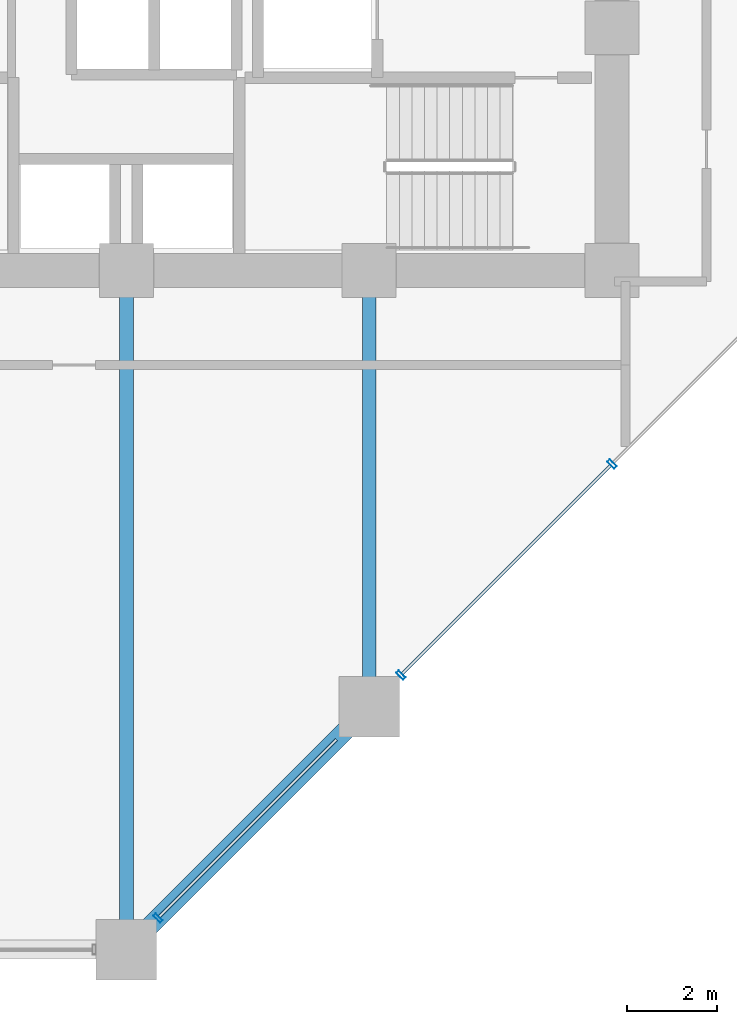
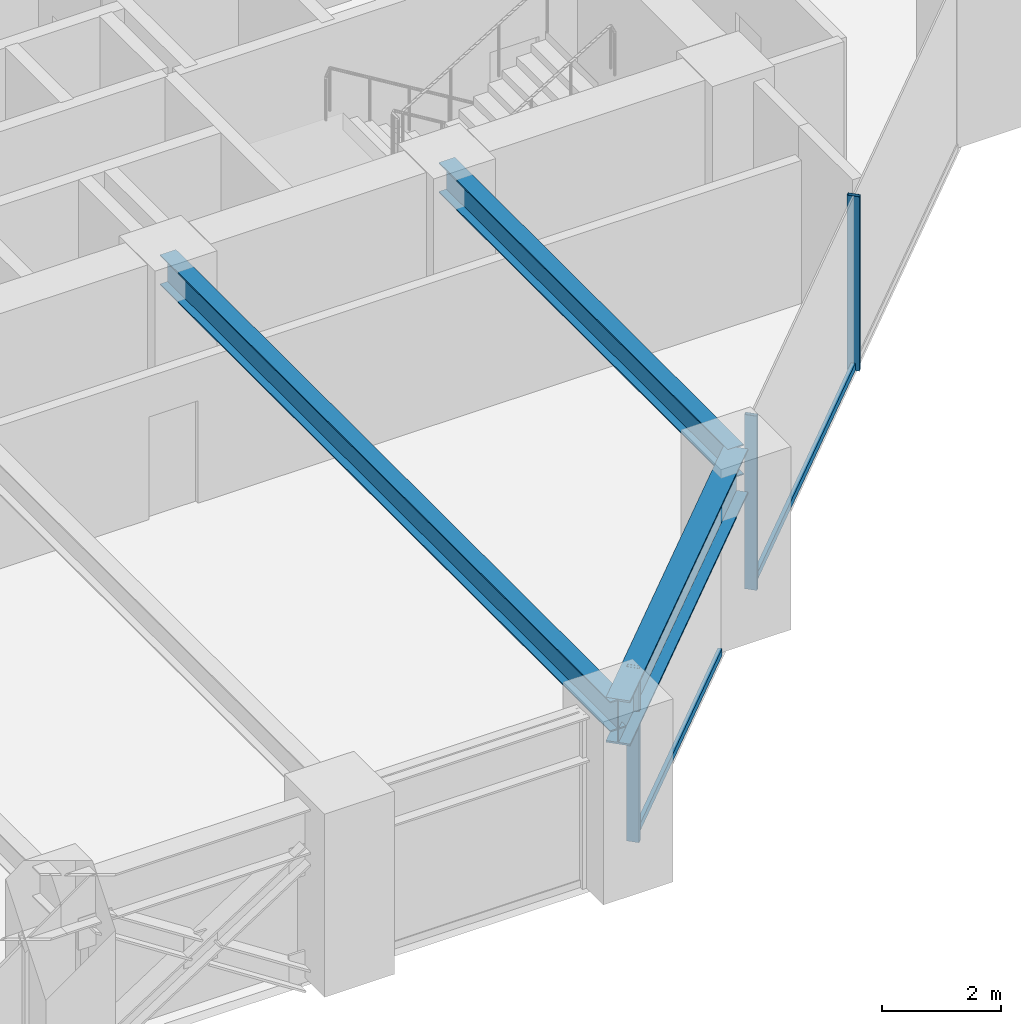
# One storey, part 7 of 25: 5 members, 3 beams, 1 element without a shape of its own.
"""IFC4 building model written with IfcOpenShell, lengths in metres."""

from ifc_helpers import new_model, si_unit, direction, frame, origin, origin_2d, place, context, subcontext, project, spatial, hollow_rectangle, i_section, extrude, material, layer, layer_set, material_profile, profile_set, type_object, element, aggregate, save


model = new_model("IFC4")

# Units and contexts
model_context = context("Model", 3, precision=1e-05, world=origin(), true_north=direction((0.0, 1.0)))
body_context = subcontext(model_context, "Body", "Model", "MODEL_VIEW")
ifc_project = project(units=[si_unit("LENGTHUNIT", "METRE"), si_unit("AREAUNIT", "SQUARE_METRE"), si_unit("VOLUMEUNIT", "CUBIC_METRE"), si_unit("PLANEANGLEUNIT", "RADIAN"), si_unit("MASSUNIT", "GRAM", prefix="KILO")], contexts=[model_context])

# Site, building, storey
site_placement = place(None, origin())
site = spatial("IfcSite", under=ifc_project, at=site_placement, CompositionType="ELEMENT")
building_placement = place(site_placement, origin())
building = spatial("IfcBuilding", under=site, at=building_placement, Name="Surkhivell Harbour Commons", CompositionType="ELEMENT")
storey_placement = place(building_placement, frame((0.0, 0.0, 41.25)))
storey = spatial("IfcBuildingStorey", under=building, at=storey_placement, Name="L10", CompositionType="ELEMENT", Elevation=41.25)

# Beams
ifc_material_1 = material(Name="Steel S355", Category="steel")
ifc_material_profile_1 = material_profile(ifc_material_1, i_section(OverallWidth=0.306884765625, OverallDepth=0.6201171875, WebThickness=0.01416015625, FlangeThickness=0.023681640625, at=origin_2d()), Name="UB610x305x179")
ifc_profile_set_1 = profile_set([ifc_material_profile_1], Name="Steel S355")
beam_type_1 = type_object("IfcBeamType", Name="BM-GRD-610A", PredefinedType="BEAM", material=ifc_profile_set_1)
beam_1_placement = place(storey_placement, frame((0.0, -25.89990234375, 3.260009765625), z_axis=(0.0, 1.0, 0.0), x_axis=(-1.0, 0.0, 0.0)))
element("IfcBeam", 1, at=beam_1_placement, inside=storey, type_object=beam_type_1, Name="L10 Floor Girder (0.0,-25.9)", PredefinedType="BEAM", context=body_context, shape_type="SweptSolid", body=[
    extrude(i_section(OverallWidth=0.306884765625, OverallDepth=0.6201171875, WebThickness=0.01416015625, FlangeThickness=0.023681640625, at=origin_2d()), origin(), (0.0, 0.0, 1.0), 15.099853515625),
])
beam_2_placement = place(storey_placement, frame((5.39990234375, -20.5, 3.260009765625), z_axis=(0.0, 1.0, 0.0), x_axis=(-1.0, 0.0, 0.0)))
element("IfcBeam", 2, at=beam_2_placement, inside=storey, type_object=beam_type_1, Name="L10 Floor Girder (5.4,-20.5)", PredefinedType="BEAM", context=body_context, shape_type="SweptSolid", body=[
    extrude(i_section(OverallWidth=0.306884765625, OverallDepth=0.6201171875, WebThickness=0.01416015625, FlangeThickness=0.023681640625, at=origin_2d()), origin(), (0.0, 0.0, 1.0), 9.699951171875),
])
ifc_material_2 = material(Name="Steel S460", Category="steel")
ifc_material_profile_2 = material_profile(ifc_material_2, i_section(OverallWidth=0.419921875, OverallDepth=0.9208984375, WebThickness=0.021484375, FlangeThickness=0.03662109375, at=origin_2d()), Name="UB914x419x388")
ifc_profile_set_2 = profile_set([ifc_material_profile_2], Name="Steel S460")
beam_type_2 = type_object("IfcBeamType", Name="BM-SPN-914A", PredefinedType="SPANDREL", material=ifc_profile_set_2)
beam_3_placement = place(storey_placement, frame((0.0, -25.89990234375, 3.109619140625), z_axis=(0.707106781187, 0.707106781187, 0.0), x_axis=(-0.707106781187, 0.707106781187, 0.0)))
element("IfcBeam", 3, at=beam_3_placement, inside=storey, type_object=beam_type_2, Name="L10 Tube Spandrel (-0.0,-25.9)", PredefinedType="SPANDREL", context=body_context, shape_type="SweptSolid", body=[
    extrude(i_section(OverallWidth=0.419921875, OverallDepth=0.9208984375, WebThickness=0.021484375, FlangeThickness=0.03662109375, at=origin_2d()), origin(), (0.0, 0.0, 1.0), 7.63671875),
])

# Curtain wall, members
ifc_material_3 = material(Name="Anodised pale-metal aluminium and insulated glazing", Category="aluminium")
ifc_layer = layer(ifc_material_3, 0.219970703125)
ifc_layer_set = layer_set([ifc_layer], Name="Anodised pale-metal aluminium and insulated glazing")
curtain_wall_type = type_object("IfcCurtainWallType", Name="CW-SYS-Z1", PredefinedType="NOTDEFINED", material=ifc_layer_set)
curtain_wall_placement = place(storey_placement, origin())
curtain_wall = element("IfcCurtainWall", 4, at=curtain_wall_placement, inside=storey, type_object=curtain_wall_type, Name="L10 Curtain Wall CW-L10-E01", PredefinedType="NOTDEFINED")
ifc_material_4 = material(Name="Anodised pale-metal aluminium alloy 6063-T6", Category="aluminium")
ifc_material_profile_3 = material_profile(ifc_material_4, hollow_rectangle(XDim=0.074951171875, YDim=0.219970703125, WallThickness=0.00390625, at=origin_2d()), Name="ALU-MULL-75x220")
ifc_profile_set_3 = profile_set([ifc_material_profile_3], Name="Anodised pale-metal aluminium alloy 6063-T6")
member_type_1 = type_object("IfcMemberType", Name="CWM-220", PredefinedType="MULLION", material=ifc_profile_set_3)
member_1_placement = place(storey_placement, frame((0.703369140625, -25.19677734375, 0.0), z_axis=(0.0, 0.0, 1.0), x_axis=(0.707106781187, 0.707106781187, 0.0)))
member_1 = element("IfcMember", 5, at=member_1_placement, type_object=member_type_1, Name="CW-Z1 mullion 1", PredefinedType="MULLION", context=body_context, shape_type="SweptSolid", body=[
    extrude(hollow_rectangle(XDim=0.074951171875, YDim=0.219970703125, WallThickness=0.00390625, at=origin_2d()), origin(), (0.0, 0.0, 1.0), 3.570068359375),
])
member_2_placement = place(storey_placement, frame((6.103271484375, -19.796630859375, 0.0), z_axis=(0.0, 0.0, 1.0), x_axis=(0.707106781187, 0.707106781187, 0.0)))
member_2 = element("IfcMember", 6, at=member_2_placement, type_object=member_type_1, Name="CW-Z1 mullion 2", PredefinedType="MULLION", context=body_context, shape_type="SweptSolid", body=[
    extrude(hollow_rectangle(XDim=0.074951171875, YDim=0.219970703125, WallThickness=0.00390625, at=origin_2d()), origin(), (0.0, 0.0, 1.0), 3.570068359375),
])
member_3_placement = place(storey_placement, frame((10.800048828125, -15.10009765625, 0.0), z_axis=(0.0, 0.0, 1.0), x_axis=(0.707106781187, 0.707106781187, 0.0)))
member_3 = element("IfcMember", 7, at=member_3_placement, type_object=member_type_1, Name="CW-Z1 mullion 3", PredefinedType="MULLION", context=body_context, shape_type="SweptSolid", body=[
    extrude(hollow_rectangle(XDim=0.074951171875, YDim=0.219970703125, WallThickness=0.00390625, at=origin_2d()), origin(), (0.0, 0.0, 1.0), 3.570068359375),
])
ifc_material_profile_4 = material_profile(ifc_material_4, hollow_rectangle(XDim=0.074951171875, YDim=0.14990234375, WallThickness=0.00341796875, at=origin_2d()), Name="ALU-TRAN-75x150")
ifc_profile_set_4 = profile_set([ifc_material_profile_4], Name="Anodised pale-metal aluminium alloy 6063-T6")
member_type_2 = type_object("IfcMemberType", Name="CWT-150", PredefinedType="USERDEFINED", material=ifc_profile_set_4)
member_4_placement = place(storey_placement, frame((0.729736328125, -25.170166015625, 0.074951171875), z_axis=(0.707106781187, 0.707106781187, 0.0), x_axis=(-0.707106781187, 0.707106781187, 0.0)))
member_4 = element("IfcMember", 8, at=member_4_placement, type_object=member_type_2, Name="CW-Z1 transom 1.1", ObjectType="TRANSOM", PredefinedType="USERDEFINED", context=body_context, shape_type="SweptSolid", body=[
    extrude(hollow_rectangle(XDim=0.074951171875, YDim=0.14990234375, WallThickness=0.00341796875, at=origin_2d()), origin(), (0.0, 0.0, 1.0), 5.572509765625),
])
member_5_placement = place(storey_placement, frame((6.1298828125, -19.770263671875, 0.074951171875), z_axis=(0.707088192925, 0.70712536896, 0.0), x_axis=(-0.70712536896, 0.707088192925, 0.0)))
member_5 = element("IfcMember", 9, at=member_5_placement, type_object=member_type_2, Name="CW-Z1 transom 2.1", ObjectType="TRANSOM", PredefinedType="USERDEFINED", context=body_context, shape_type="SweptSolid", body=[
    extrude(hollow_rectangle(XDim=0.074951171875, YDim=0.14990234375, WallThickness=0.00341796875, at=origin_2d()), origin(), (0.0, 0.0, 1.0), 6.567138671875),
])
aggregate(curtain_wall, [member_1, member_4, member_2, member_3, member_5])

save(model, "model.ifc")
